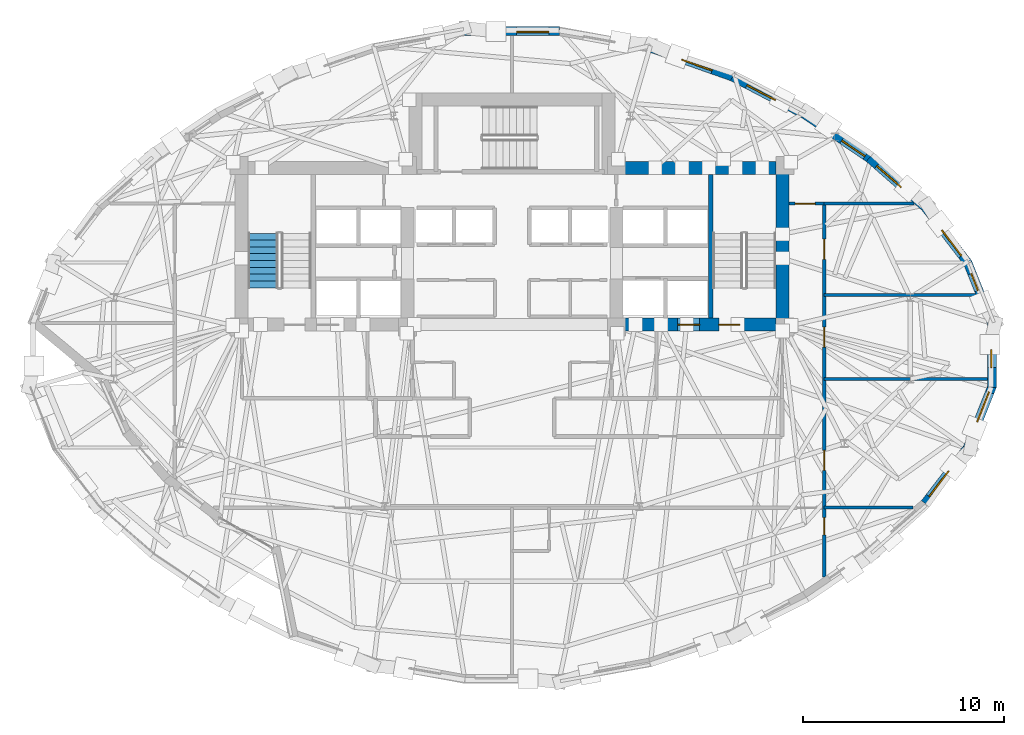
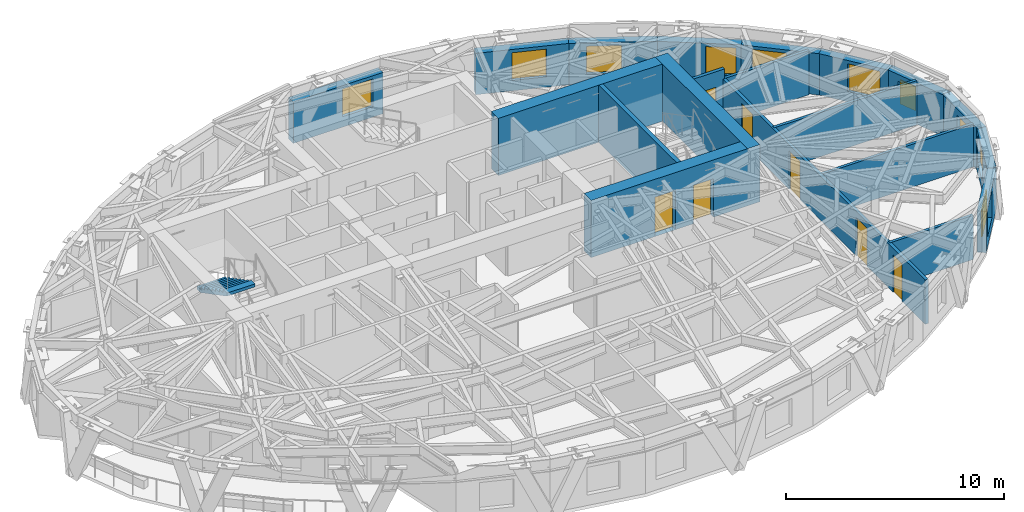
# One storey, part 10 of 15: 20 walls, 10 windows, 7 doors, 1 stair flight, 17 openings, 1 element without a shape of its own.
"""IFC4 building model written with IfcOpenShell, lengths in metres."""

from ifc_helpers import new_model, si_unit, direction, frame, frame_2d, origin, place, context, subcontext, project, spatial, polyline, rectangle, outline, extrude, material, layer, layer_set, type_object, element, fill, aggregate, save


model = new_model("IFC4")

# Units and contexts
model_context = context("Model", 3, precision=1e-05, world=origin(), true_north=direction((0.0, 1.0)))
body_context = subcontext(model_context, "Body", "Model", "MODEL_VIEW")
ifc_project = project(units=[si_unit("LENGTHUNIT", "METRE"), si_unit("AREAUNIT", "SQUARE_METRE"), si_unit("VOLUMEUNIT", "CUBIC_METRE"), si_unit("PLANEANGLEUNIT", "RADIAN"), si_unit("MASSUNIT", "GRAM", prefix="KILO")], contexts=[model_context])

# Site, building, storey
site_placement = place(None, origin())
site = spatial("IfcSite", under=ifc_project, at=site_placement, CompositionType="ELEMENT")
building_placement = place(site_placement, origin())
building = spatial("IfcBuilding", under=site, at=building_placement, Name="Keldmark Tower", CompositionType="ELEMENT")
storey_placement = place(building_placement, frame((0.0, 0.0, 195.0)))
storey = spatial("IfcBuildingStorey", under=building, at=storey_placement, Name="L54", CompositionType="ELEMENT", Elevation=195.0)

# Wall, openings, doors
ifc_material_1 = material(Name="Type X Fire-Rated Gypsum Partition Assembly", Category="gypsum")
ifc_layer_1 = layer(ifc_material_1, 0.1650390625)
ifc_layer_set_1 = layer_set([ifc_layer_1], Name="Type X Fire-Rated Gypsum Partition Assembly")
wall_type_1 = type_object("IfcWallType", Name="Rated Partition 165 mm", PredefinedType="PARTITIONING", material=ifc_layer_set_1)
wall_1_placement = place(storey_placement, frame((15.550048828125, -11.05419921875, 0.0), z_axis=(0.0, 0.0, 1.0), x_axis=(0.0, 1.0, 0.0)))
wall_1 = element("IfcWall", 1, at=wall_1_placement, inside=storey, type_object=wall_type_1, Name="L54 Rated Partition 165 mm HCOR-E", PredefinedType="PARTITIONING", context=body_context, shape_type="SweptSolid", body=[
    extrude(rectangle(XDim=18.604248046875, YDim=0.1650390625, at=frame_2d((9.30224609375, 0.0))), origin(), (0.0, 0.0, 1.0), 2.472900390625),
])
opening_1_placement = place(wall_1_placement, frame((2.1044921875, 0.0, 0.0)))
opening_1 = element("IfcOpeningElement", 2, at=opening_1_placement, cuts=wall_1, Name="Opening D-IN085", PredefinedType="OPENING", context=body_context, shape_type="SweptSolid", body=[
    extrude(rectangle(XDim=0.85009765625, YDim=2.10009765625, at=frame_2d((0.425048828125, 1.050048828125))), frame((0.0, 0.092529296875, 0.0), z_axis=(0.0, -1.0, 0.0), x_axis=(1.0, 0.0, 0.0)), (0.0, 0.0, 1.0), 0.18505859375),
])
opening_2_placement = place(wall_1_placement, frame((5.314453125, 0.0, 0.0)))
opening_2 = element("IfcOpeningElement", 3, at=opening_2_placement, cuts=wall_1, Name="Opening D-FD100", PredefinedType="OPENING", context=body_context, shape_type="SweptSolid", body=[
    extrude(rectangle(XDim=1.0, YDim=2.14990234375, at=frame_2d((0.5, 1.074951171875))), frame((0.0, 0.092529296875, 0.0), z_axis=(0.0, -1.0, 0.0), x_axis=(1.0, 0.0, 0.0)), (0.0, 0.0, 1.0), 0.18505859375),
])
opening_3_placement = place(wall_1_placement, frame((11.45458984375, 0.0, 0.0)))
opening_3 = element("IfcOpeningElement", 4, at=opening_3_placement, cuts=wall_1, Name="Opening D-FD100", PredefinedType="OPENING", context=body_context, shape_type="SweptSolid", body=[
    extrude(rectangle(XDim=1.0, YDim=2.14990234375, at=frame_2d((0.5, 1.074951171875))), frame((0.0, 0.092529296875, 0.0), z_axis=(0.0, -1.0, 0.0), x_axis=(1.0, 0.0, 0.0)), (0.0, 0.0, 1.0), 0.18505859375),
])
opening_4_placement = place(wall_1_placement, frame((15.82958984375, 0.0, 0.0)))
opening_4 = element("IfcOpeningElement", 5, at=opening_4_placement, cuts=wall_1, Name="Opening D-FD100", PredefinedType="OPENING", context=body_context, shape_type="SweptSolid", body=[
    extrude(rectangle(XDim=1.0, YDim=2.14990234375, at=frame_2d((0.5, 1.074951171875))), frame((0.0, 0.092529296875, 0.0), z_axis=(0.0, -1.0, 0.0), x_axis=(1.0, 0.0, 0.0)), (0.0, 0.0, 1.0), 0.18505859375),
])
ifc_material_2 = material(Name="Hollow Metal Fire-Rated Corridor Door", Category="metal")
door_type_1 = type_object("IfcDoorType", Name="Fire Door 1000x2150", OperationType="NOTDEFINED", PredefinedType="DOOR", material=ifc_material_2)
door_1_placement = place(opening_2_placement, origin())
door_1 = element("IfcDoor", 6, at=door_1_placement, inside=storey, type_object=door_type_1, Name="L54 Fire Door 1000x2150 D-HESP-1-L54", OperationType="SINGLE_SWING_LEFT", OverallHeight=2.14990234375, OverallWidth=1.0, PredefinedType="DOOR", context=body_context, shape_type="SweptSolid", body=[
    extrude(rectangle(XDim=1.0, YDim=2.14990234375, at=frame_2d((0.5, 1.074951171875))), frame((0.0, 0.02490234375, 0.0), z_axis=(0.0, -1.0, 0.0), x_axis=(1.0, 0.0, 0.0)), (0.0, 0.0, 1.0), 0.050048828125),
])
fill(opening_2, door_1)
door_2_placement = place(opening_3_placement, origin())
door_2 = element("IfcDoor", 7, at=door_2_placement, inside=storey, type_object=door_type_1, Name="L54 Fire Door 1000x2150 D-HESP-2-L54", OperationType="SINGLE_SWING_LEFT", OverallHeight=2.14990234375, OverallWidth=1.0, PredefinedType="DOOR", context=body_context, shape_type="SweptSolid", body=[
    extrude(rectangle(XDim=1.0, YDim=2.14990234375, at=frame_2d((0.5, 1.074951171875))), frame((0.0, 0.02490234375, 0.0), z_axis=(0.0, -1.0, 0.0), x_axis=(1.0, 0.0, 0.0)), (0.0, 0.0, 1.0), 0.050048828125),
])
fill(opening_3, door_2)
door_3_placement = place(opening_4_placement, origin())
door_3 = element("IfcDoor", 8, at=door_3_placement, inside=storey, type_object=door_type_1, Name="L54 Fire Door 1000x2150 D-HESP-3-L54", OperationType="SINGLE_SWING_RIGHT", OverallHeight=2.14990234375, OverallWidth=1.0, PredefinedType="DOOR", context=body_context, shape_type="SweptSolid", body=[
    extrude(rectangle(XDim=1.0, YDim=2.14990234375, at=frame_2d((0.5, 1.074951171875))), frame((0.0, 0.02490234375, 0.0), z_axis=(0.0, -1.0, 0.0), x_axis=(1.0, 0.0, 0.0)), (0.0, 0.0, 1.0), 0.050048828125),
])
fill(opening_4, door_3)
ifc_material_3 = material(Name="Painted Architectural Wood", Category="wood")
door_type_2 = type_object("IfcDoorType", Name="Interior Door 850x2100", OperationType="NOTDEFINED", PredefinedType="DOOR", material=ifc_material_3)
door_4_placement = place(opening_1_placement, origin())
door_4 = element("IfcDoor", 9, at=door_4_placement, inside=storey, type_object=door_type_2, Name="L54 Interior Door 850x2100 D-HKSE-L54", OperationType="SINGLE_SWING_RIGHT", OverallHeight=2.10009765625, OverallWidth=0.85009765625, PredefinedType="DOOR", context=body_context, shape_type="SweptSolid", body=[
    extrude(rectangle(XDim=0.85009765625, YDim=2.10009765625, at=frame_2d((0.425048828125, 1.050048828125))), frame((0.0, 0.02490234375, 0.0), z_axis=(0.0, -1.0, 0.0), x_axis=(1.0, 0.0, 0.0)), (0.0, 0.0, 1.0), 0.050048828125),
])
fill(opening_1, door_4)

# Wall, opening, door
wall_2_placement = place(storey_placement, frame((13.800048828125, 7.550048828125, 0.0), z_axis=(0.0, 0.0, 1.0), x_axis=(1.0, 0.0, 0.0)))
wall_2 = element("IfcWall", 10, at=wall_2_placement, inside=storey, type_object=wall_type_1, Name="L54 Rated Partition 165 mm HCOR-EN", PredefinedType="PARTITIONING", context=body_context, shape_type="SweptSolid", body=[
    extrude(rectangle(XDim=1.75, YDim=0.1650390625, at=frame_2d((0.875, 0.0))), origin(), (0.0, 0.0, 1.0), 3.02001953125),
])
opening_5_placement = place(wall_2_placement, frame((0.300048828125, 0.0, 0.0)))
opening_5 = element("IfcOpeningElement", 11, at=opening_5_placement, cuts=wall_2, Name="Opening D-FD100", PredefinedType="OPENING", context=body_context, shape_type="SweptSolid", body=[
    extrude(rectangle(XDim=1.0, YDim=2.14990234375, at=frame_2d((0.5, 1.074951171875))), frame((0.0, 0.092529296875, 0.0), z_axis=(0.0, -1.0, 0.0), x_axis=(1.0, 0.0, 0.0)), (0.0, 0.0, 1.0), 0.18505859375),
])
door_5_placement = place(opening_5_placement, origin())
door_5 = element("IfcDoor", 12, at=door_5_placement, inside=storey, type_object=door_type_1, Name="L54 Fire Door 1000x2150 D-HNNE-L54", OperationType="SINGLE_SWING_RIGHT", OverallHeight=2.14990234375, OverallWidth=1.0, PredefinedType="DOOR", context=body_context, shape_type="SweptSolid", body=[
    extrude(rectangle(XDim=1.0, YDim=2.14990234375, at=frame_2d((0.5, 1.074951171875))), frame((0.0, 0.02490234375, 0.0), z_axis=(0.0, -1.0, 0.0), x_axis=(1.0, 0.0, 0.0)), (0.0, 0.0, 1.0), 0.050048828125),
])
fill(opening_5, door_5)

# Wall
ifc_material_4 = material(Name="Concrete C50/60", Category="concrete")
ifc_layer_2 = layer(ifc_material_4, 0.219970703125)
ifc_layer_set_2 = layer_set([ifc_layer_2], Name="Concrete C50/60")
wall_type_2 = type_object("IfcWallType", Name="Stair Core Shear Wall 220 mm", PredefinedType="SHEAR", material=ifc_layer_set_2)
wall_3_placement = place(storey_placement, frame((9.889892578125, 1.85009765625, 0.0), z_axis=(0.0, 0.0, 1.0), x_axis=(0.0, 1.0, 0.0)))
element("IfcWall", 13, at=wall_3_placement, inside=storey, type_object=wall_type_2, Name="L54 East Stair Core Shear Wall", PredefinedType="SHEAR", context=body_context, shape_type="SweptSolid", body=[
    extrude(rectangle(XDim=7.14990234375, YDim=0.219970703125, at=frame_2d((3.574951171875, 0.0))), origin(), (0.0, 0.0, 1.0), 3.199951171875),
])

# Wall, opening, window
ifc_material_5 = material(Name="Ironspot Manganese Brick and Kasota Buff Limestone Spandrel Assembly", Category="masonry")
ifc_layer_3 = layer(ifc_material_5, 0.43994140625)
ifc_layer_set_3 = layer_set([ifc_layer_3], Name="Ironspot Manganese Brick and Kasota Buff Limestone Spandrel Assembly")
wall_type_3 = type_object("IfcWallType", Name="Tower Brick Pier and Spandrel Wall 440 mm", PredefinedType="STANDARD", material=ifc_layer_set_3)
wall_4_placement = place(storey_placement, frame((22.692138671875, 4.62744140625, 0.0), z_axis=(0.0, 0.0, 1.0), x_axis=(0.369672887509, -0.929161964483, 0.0)))
wall_4 = element("IfcWall", 14, at=wall_4_placement, inside=storey, type_object=wall_type_3, Name="L54 Exterior Brick and Spandrel Wall 01", PredefinedType="STANDARD", context=body_context, shape_type="SweptSolid", body=[
    extrude(rectangle(XDim=3.333740234375, YDim=0.43994140625, at=frame_2d((1.6669921875, 0.0))), origin(), (0.0, 0.0, 1.0), 2.31494140625),
])
opening_6_placement = place(wall_4_placement, frame((0.5966796875, 0.0, 0.580078125)))
opening_6 = element("IfcOpeningElement", 15, at=opening_6_placement, cuts=wall_4, Name="Opening W-09", PredefinedType="OPENING", context=body_context, shape_type="SweptSolid", body=[
    extrude(rectangle(XDim=0.89990234375, YDim=1.35009765625, at=frame_2d((0.449951171875, 0.675048828125))), frame((0.0, 0.22998046875, 0.0), z_axis=(0.0, -1.0, 0.0), x_axis=(1.0, 0.0, 0.0)), (0.0, 0.0, 1.0), 0.4599609375),
])
ifc_material_6 = material(Name="Thermally Broken Anodized Aluminum and Triple Low-E Argon Glazing", Category="aluminium")
window_type_1 = type_object("IfcWindowType", Name="Corner Pier Deep-Set Window 900x1350", PartitioningType="SINGLE_PANEL", PredefinedType="WINDOW", material=ifc_material_6)
window_1_placement = place(opening_6_placement, origin())
window_1 = element("IfcWindow", 16, at=window_1_placement, inside=storey, type_object=window_type_1, Name="L54 Deep-Set Window 01", OverallHeight=1.35009765625, OverallWidth=0.89990234375, PartitioningType="SINGLE_PANEL", PredefinedType="WINDOW", context=body_context, shape_type="SweptSolid", body=[
    extrude(rectangle(XDim=0.89990234375, YDim=1.35009765625, at=frame_2d((0.449951171875, 0.675048828125))), frame((0.0, -0.010009765625, 0.0), z_axis=(0.0, -1.0, 0.0), x_axis=(1.0, 0.0, 0.0)), (0.0, 0.0, 1.0), 0.06005859375),
])
fill(opening_6, window_1)

wall_5_placement = place(storey_placement, frame((20.568359375, 7.3828125, 0.0), z_axis=(0.0, 0.0, 1.0), x_axis=(0.608586512644, -0.793487527708, 0.0)))
wall_5 = element("IfcWall", 17, at=wall_5_placement, inside=storey, type_object=wall_type_3, Name="L54 Exterior Brick and Spandrel Wall 02", PredefinedType="STANDARD", context=body_context, shape_type="SweptSolid", body=[
    extrude(rectangle(XDim=3.53857421875, YDim=0.43994140625, at=frame_2d((1.769287109375, 0.0))), origin(), (0.0, 0.0, 1.0), 2.31494140625),
])
opening_7_placement = place(wall_5_placement, frame((1.44091796875, 0.0, 0.580078125)))
opening_7 = element("IfcOpeningElement", 18, at=opening_7_placement, cuts=wall_5, Name="Opening W-04", PredefinedType="OPENING", context=body_context, shape_type="SweptSolid", body=[
    extrude(rectangle(XDim=1.60009765625, YDim=1.550048828125, at=frame_2d((0.800048828125, 0.77490234375))), frame((0.0, 0.22998046875, 0.0), z_axis=(0.0, -1.0, 0.0), x_axis=(1.0, 0.0, 0.0)), (0.0, 0.0, 1.0), 0.4599609375),
])
ifc_material_7 = material(Name="Thermally Broken Anodized Aluminum and Triple Low-E Argon Glazing", Category="aluminium")
window_type_2 = type_object("IfcWindowType", Name="Hotel Deep-Set Operable Window 1600x1550", PartitioningType="DOUBLE_PANEL_HORIZONTAL", PredefinedType="WINDOW", material=ifc_material_7)
window_2_placement = place(opening_7_placement, origin())
window_2 = element("IfcWindow", 19, at=window_2_placement, inside=storey, type_object=window_type_2, Name="L54 Deep-Set Window 02", OverallHeight=1.550048828125, OverallWidth=1.60009765625, PartitioningType="SINGLE_PANEL", PredefinedType="WINDOW", context=body_context, shape_type="SweptSolid", body=[
    extrude(rectangle(XDim=1.60009765625, YDim=1.550048828125, at=frame_2d((0.800048828125, 0.77490234375))), frame((0.0, -0.010009765625, 0.0), z_axis=(0.0, -1.0, 0.0), x_axis=(1.0, 0.0, 0.0)), (0.0, 0.0, 1.0), 0.06005859375),
])
fill(opening_7, window_2)

wall_6_placement = place(storey_placement, frame((17.789794921875, 9.813232421875, 0.0), z_axis=(0.0, 0.0, 1.0), x_axis=(0.751936480142, -0.65923556475, 0.0)))
wall_6 = element("IfcWall", 20, at=wall_6_placement, inside=storey, type_object=wall_type_3, Name="L54 Exterior Brick and Spandrel Wall 03", PredefinedType="STANDARD", context=body_context, shape_type="SweptSolid", body=[
    extrude(rectangle(XDim=3.734619140625, YDim=0.43994140625, at=frame_2d((1.8671875, 0.0))), origin(), (0.0, 0.0, 1.0), 2.31494140625),
])
opening_8_placement = place(wall_6_placement, frame((0.546875, 0.0, 0.580078125)))
opening_8 = element("IfcOpeningElement", 21, at=opening_8_placement, cuts=wall_6, Name="Opening W-04", PredefinedType="OPENING", context=body_context, shape_type="SweptSolid", body=[
    extrude(rectangle(XDim=1.60009765625, YDim=1.550048828125, at=frame_2d((0.800048828125, 0.77490234375))), frame((0.0, 0.22998046875, 0.0), z_axis=(0.0, -1.0, 0.0), x_axis=(1.0, 0.0, 0.0)), (0.0, 0.0, 1.0), 0.4599609375),
])
window_3_placement = place(opening_8_placement, origin())
window_3 = element("IfcWindow", 22, at=window_3_placement, inside=storey, type_object=window_type_2, Name="L54 Deep-Set Window 03", OverallHeight=1.550048828125, OverallWidth=1.60009765625, PartitioningType="SINGLE_PANEL", PredefinedType="WINDOW", context=body_context, shape_type="SweptSolid", body=[
    extrude(rectangle(XDim=1.60009765625, YDim=1.550048828125, at=frame_2d((0.800048828125, 0.77490234375))), frame((0.0, -0.010009765625, 0.0), z_axis=(0.0, -1.0, 0.0), x_axis=(1.0, 0.0, 0.0)), (0.0, 0.0, 1.0), 0.06005859375),
])
fill(opening_8, window_3)

wall_7_placement = place(storey_placement, frame((14.59521484375, 11.97705078125, 0.0), z_axis=(0.0, 0.0, 1.0), x_axis=(0.827704046296, -0.561164870377, 0.0)))
wall_7 = element("IfcWall", 23, at=wall_7_placement, inside=storey, type_object=wall_type_3, Name="L54 Exterior Brick and Spandrel Wall 04", PredefinedType="STANDARD", context=body_context, shape_type="SweptSolid", body=[
    extrude(rectangle(XDim=3.885498046875, YDim=0.43994140625, at=frame_2d((1.94287109375, 0.0))), origin(), (0.0, 0.0, 1.0), 2.31494140625),
])
opening_9_placement = place(wall_7_placement, frame((2.23583984375, 0.0, 0.580078125)))
opening_9 = element("IfcOpeningElement", 24, at=opening_9_placement, cuts=wall_7, Name="Opening W-08", PredefinedType="OPENING", context=body_context, shape_type="SweptSolid", body=[
    extrude(rectangle(XDim=1.39990234375, YDim=1.550048828125, at=frame_2d((0.699951171875, 0.77490234375))), frame((0.0, 0.22998046875, 0.0), z_axis=(0.0, -1.0, 0.0), x_axis=(1.0, 0.0, 0.0)), (0.0, 0.0, 1.0), 0.4599609375),
])
ifc_material_8 = material(Name="Thermally Broken Anodized Aluminum and Triple Low-E Argon Glazing", Category="aluminium")
window_type_3 = type_object("IfcWindowType", Name="Residential Corner Punched Window 1400x1550", PartitioningType="SINGLE_PANEL", PredefinedType="WINDOW", material=ifc_material_8)
window_4_placement = place(opening_9_placement, origin())
window_4 = element("IfcWindow", 25, at=window_4_placement, inside=storey, type_object=window_type_3, Name="L54 Deep-Set Window 04", OverallHeight=1.550048828125, OverallWidth=1.39990234375, PartitioningType="SINGLE_PANEL", PredefinedType="WINDOW", context=body_context, shape_type="SweptSolid", body=[
    extrude(rectangle(XDim=1.39990234375, YDim=1.550048828125, at=frame_2d((0.699951171875, 0.77490234375))), frame((0.0, -0.010009765625, 0.0), z_axis=(0.0, -1.0, 0.0), x_axis=(1.0, 0.0, 0.0)), (0.0, 0.0, 1.0), 0.06005859375),
])
fill(opening_9, window_4)

wall_8_placement = place(storey_placement, frame((10.985107421875, 13.867919921875, 0.0), z_axis=(0.0, 0.0, 1.0), x_axis=(0.885676487837, -0.464302874094, 0.0)))
wall_8 = element("IfcWall", 26, at=wall_8_placement, inside=storey, type_object=wall_type_3, Name="L54 Exterior Brick and Spandrel Wall 05", PredefinedType="STANDARD", context=body_context, shape_type="SweptSolid", body=[
    extrude(rectangle(XDim=4.100341796875, YDim=0.43994140625, at=frame_2d((2.05029296875, 0.0))), origin(), (0.0, 0.0, 1.0), 2.31494140625),
])
opening_10_placement = place(wall_8_placement, frame((0.8349609375, 0.0, 0.580078125)))
opening_10 = element("IfcOpeningElement", 27, at=opening_10_placement, cuts=wall_8, Name="Opening W-04", PredefinedType="OPENING", context=body_context, shape_type="SweptSolid", body=[
    extrude(rectangle(XDim=1.60009765625, YDim=1.550048828125, at=frame_2d((0.800048828125, 0.77490234375))), frame((0.0, 0.22998046875, 0.0), z_axis=(0.0, -1.0, 0.0), x_axis=(1.0, 0.0, 0.0)), (0.0, 0.0, 1.0), 0.4599609375),
])
window_5_placement = place(opening_10_placement, origin())
window_5 = element("IfcWindow", 28, at=window_5_placement, inside=storey, type_object=window_type_2, Name="L54 Deep-Set Window 05", OverallHeight=1.550048828125, OverallWidth=1.60009765625, PartitioningType="SINGLE_PANEL", PredefinedType="WINDOW", context=body_context, shape_type="SweptSolid", body=[
    extrude(rectangle(XDim=1.60009765625, YDim=1.550048828125, at=frame_2d((0.800048828125, 0.77490234375))), frame((0.0, -0.010009765625, 0.0), z_axis=(0.0, -1.0, 0.0), x_axis=(1.0, 0.0, 0.0)), (0.0, 0.0, 1.0), 0.06005859375),
])
fill(opening_10, window_5)

wall_9_placement = place(storey_placement, frame((6.87255859375, 15.3154296875, 0.0), z_axis=(0.0, 0.0, 1.0), x_axis=(0.943100102185, -0.332508943125, 0.0)))
wall_9 = element("IfcWall", 29, at=wall_9_placement, inside=storey, type_object=wall_type_3, Name="L54 Exterior Brick and Spandrel Wall 06", PredefinedType="STANDARD", context=body_context, shape_type="SweptSolid", body=[
    extrude(rectangle(XDim=4.391357421875, YDim=0.43994140625, at=frame_2d((2.19580078125, 0.0))), origin(), (0.0, 0.0, 1.0), 2.31494140625),
])
opening_11_placement = place(wall_9_placement, frame((1.694580078125, 0.0, 0.580078125)))
opening_11 = element("IfcOpeningElement", 30, at=opening_11_placement, cuts=wall_9, Name="Opening W-04", PredefinedType="OPENING", context=body_context, shape_type="SweptSolid", body=[
    extrude(rectangle(XDim=1.60009765625, YDim=1.550048828125, at=frame_2d((0.800048828125, 0.77490234375))), frame((0.0, 0.22998046875, 0.0), z_axis=(0.0, -1.0, 0.0), x_axis=(1.0, 0.0, 0.0)), (0.0, 0.0, 1.0), 0.4599609375),
])
window_6_placement = place(opening_11_placement, origin())
window_6 = element("IfcWindow", 31, at=window_6_placement, inside=storey, type_object=window_type_2, Name="L54 Deep-Set Window 06", OverallHeight=1.550048828125, OverallWidth=1.60009765625, PartitioningType="SINGLE_PANEL", PredefinedType="WINDOW", context=body_context, shape_type="SweptSolid", body=[
    extrude(rectangle(XDim=1.60009765625, YDim=1.550048828125, at=frame_2d((0.800048828125, 0.77490234375))), frame((0.0, -0.010009765625, 0.0), z_axis=(0.0, -1.0, 0.0), x_axis=(1.0, 0.0, 0.0)), (0.0, 0.0, 1.0), 0.06005859375),
])
fill(opening_11, window_6)

wall_10_placement = place(storey_placement, frame((-2.37646484375, 16.13818359375, 0.0), z_axis=(0.0, 0.0, 1.0), x_axis=(1.0, 0.0, 0.0)))
wall_10 = element("IfcWall", 32, at=wall_10_placement, inside=storey, type_object=wall_type_3, Name="L54 Exterior Brick and Spandrel Wall 08", PredefinedType="STANDARD", context=body_context, shape_type="SweptSolid", body=[
    extrude(rectangle(XDim=4.7529296875, YDim=0.43994140625, at=frame_2d((2.37646484375, 0.0))), origin(), (0.0, 0.0, 1.0), 2.31494140625),
])
opening_12_placement = place(wall_10_placement, frame((2.60888671875, 0.0, 0.580078125)))
opening_12 = element("IfcOpeningElement", 33, at=opening_12_placement, cuts=wall_10, Name="Opening W-04", PredefinedType="OPENING", context=body_context, shape_type="SweptSolid", body=[
    extrude(rectangle(XDim=1.60009765625, YDim=1.550048828125, at=frame_2d((0.800048828125, 0.77490234375))), frame((0.0, 0.22998046875, 0.0), z_axis=(0.0, -1.0, 0.0), x_axis=(1.0, 0.0, 0.0)), (0.0, 0.0, 1.0), 0.4599609375),
])
window_7_placement = place(opening_12_placement, origin())
window_7 = element("IfcWindow", 34, at=window_7_placement, inside=storey, type_object=window_type_2, Name="L54 Deep-Set Window 08", OverallHeight=1.550048828125, OverallWidth=1.60009765625, PartitioningType="SINGLE_PANEL", PredefinedType="WINDOW", context=body_context, shape_type="SweptSolid", body=[
    extrude(rectangle(XDim=1.60009765625, YDim=1.550048828125, at=frame_2d((0.800048828125, 0.77490234375))), frame((0.0, -0.010009765625, 0.0), z_axis=(0.0, -1.0, 0.0), x_axis=(1.0, 0.0, 0.0)), (0.0, 0.0, 1.0), 0.06005859375),
])
fill(opening_12, window_7)

wall_11_placement = place(storey_placement, frame((22.721923828125, -4.574951171875, 0.0), z_axis=(0.0, 0.0, 1.0), x_axis=(-0.608586512644, -0.793487527708, 0.0)))
wall_11 = element("IfcWall", 35, at=wall_11_placement, inside=storey, type_object=wall_type_3, Name="L54 Exterior Brick and Spandrel Wall 30", PredefinedType="STANDARD", context=body_context, shape_type="SweptSolid", body=[
    extrude(rectangle(XDim=3.53857421875, YDim=0.43994140625, at=frame_2d((1.769287109375, 0.0))), origin(), (0.0, 0.0, 1.0), 2.31494140625),
])
opening_13_placement = place(wall_11_placement, frame((1.540283203125, 0.0, 0.580078125)))
opening_13 = element("IfcOpeningElement", 36, at=opening_13_placement, cuts=wall_11, Name="Opening W-04", PredefinedType="OPENING", context=body_context, shape_type="SweptSolid", body=[
    extrude(rectangle(XDim=1.60009765625, YDim=1.550048828125, at=frame_2d((0.800048828125, 0.77490234375))), frame((0.0, 0.22998046875, 0.0), z_axis=(0.0, -1.0, 0.0), x_axis=(1.0, 0.0, 0.0)), (0.0, 0.0, 1.0), 0.4599609375),
])
window_8_placement = place(opening_13_placement, origin())
window_8 = element("IfcWindow", 37, at=window_8_placement, inside=storey, type_object=window_type_2, Name="L54 Deep-Set Window 30", OverallHeight=1.550048828125, OverallWidth=1.60009765625, PartitioningType="SINGLE_PANEL", PredefinedType="WINDOW", context=body_context, shape_type="SweptSolid", body=[
    extrude(rectangle(XDim=1.60009765625, YDim=1.550048828125, at=frame_2d((0.800048828125, 0.77490234375))), frame((0.0, -0.010009765625, 0.0), z_axis=(0.0, -1.0, 0.0), x_axis=(1.0, 0.0, 0.0)), (0.0, 0.0, 1.0), 0.06005859375),
])
fill(opening_13, window_8)

wall_12_placement = place(storey_placement, frame((23.924560546875, -1.52978515625, 0.0), z_axis=(0.0, 0.0, 1.0), x_axis=(-0.369672887509, -0.929161964483, 0.0)))
wall_12 = element("IfcWall", 38, at=wall_12_placement, inside=storey, type_object=wall_type_3, Name="L54 Exterior Brick and Spandrel Wall 31", PredefinedType="STANDARD", context=body_context, shape_type="SweptSolid", body=[
    extrude(rectangle(XDim=3.333740234375, YDim=0.43994140625, at=frame_2d((1.6669921875, 0.0))), origin(), (0.0, 0.0, 1.0), 2.31494140625),
])
opening_14_placement = place(wall_12_placement, frame((0.34814453125, 0.0, 0.580078125)))
opening_14 = element("IfcOpeningElement", 39, at=opening_14_placement, cuts=wall_12, Name="Opening W-04", PredefinedType="OPENING", context=body_context, shape_type="SweptSolid", body=[
    extrude(rectangle(XDim=1.60009765625, YDim=1.550048828125, at=frame_2d((0.800048828125, 0.77490234375))), frame((0.0, 0.22998046875, 0.0), z_axis=(0.0, -1.0, 0.0), x_axis=(1.0, 0.0, 0.0)), (0.0, 0.0, 1.0), 0.4599609375),
])
window_9_placement = place(opening_14_placement, origin())
window_9 = element("IfcWindow", 40, at=window_9_placement, inside=storey, type_object=window_type_2, Name="L54 Deep-Set Window 31", OverallHeight=1.550048828125, OverallWidth=1.60009765625, PartitioningType="SINGLE_PANEL", PredefinedType="WINDOW", context=body_context, shape_type="SweptSolid", body=[
    extrude(rectangle(XDim=1.60009765625, YDim=1.550048828125, at=frame_2d((0.800048828125, 0.77490234375))), frame((0.0, -0.010009765625, 0.0), z_axis=(0.0, -1.0, 0.0), x_axis=(1.0, 0.0, 0.0)), (0.0, 0.0, 1.0), 0.06005859375),
])
fill(opening_14, window_9)

wall_13_placement = place(storey_placement, frame((23.908935546875, 1.611083984375, 0.0), z_axis=(0.0, 0.0, 1.0), x_axis=(0.0, -1.0, 0.0)))
wall_13 = element("IfcWall", 41, at=wall_13_placement, inside=storey, type_object=wall_type_3, Name="L54 Exterior Brick and Spandrel Wall 32", PredefinedType="STANDARD", context=body_context, shape_type="SweptSolid", body=[
    extrude(rectangle(XDim=3.22216796875, YDim=0.43994140625, at=frame_2d((1.611083984375, 0.0))), origin(), (0.0, 0.0, 1.0), 2.31494140625),
])
opening_15_placement = place(wall_13_placement, frame((1.333740234375, 0.0, 0.580078125)))
opening_15 = element("IfcOpeningElement", 42, at=opening_15_placement, cuts=wall_13, Name="Opening W-09", PredefinedType="OPENING", context=body_context, shape_type="SweptSolid", body=[
    extrude(rectangle(XDim=0.89990234375, YDim=1.35009765625, at=frame_2d((0.449951171875, 0.675048828125))), frame((0.0, 0.22998046875, 0.0), z_axis=(0.0, -1.0, 0.0), x_axis=(1.0, 0.0, 0.0)), (0.0, 0.0, 1.0), 0.4599609375),
])
window_10_placement = place(opening_15_placement, origin())
window_10 = element("IfcWindow", 43, at=window_10_placement, inside=storey, type_object=window_type_1, Name="L54 Deep-Set Window 32", OverallHeight=1.35009765625, OverallWidth=0.89990234375, PartitioningType="SINGLE_PANEL", PredefinedType="WINDOW", context=body_context, shape_type="SweptSolid", body=[
    extrude(rectangle(XDim=0.89990234375, YDim=1.35009765625, at=frame_2d((0.449951171875, 0.675048828125))), frame((0.0, -0.010009765625, 0.0), z_axis=(0.0, -1.0, 0.0), x_axis=(1.0, 0.0, 0.0)), (0.0, 0.0, 1.0), 0.06005859375),
])
fill(opening_15, window_10)

# Walls
ifc_material_9 = material(Name="Concrete C50/60", Category="concrete")
ifc_layer_4 = layer(ifc_material_9, 0.64990234375)
ifc_layer_set_4 = layer_set([ifc_layer_4], Name="Concrete C50/60")
wall_type_4 = type_object("IfcWallType", Name="Upper-Mid Core Shear Wall 650 mm", PredefinedType="SHEAR", material=ifc_layer_set_4)
wall_14_placement = place(storey_placement, frame((13.47509765625, 1.199951171875, 0.0), z_axis=(0.0, 0.0, 1.0), x_axis=(0.0, 1.0, 0.0)))
element("IfcWall", 44, at=wall_14_placement, inside=storey, type_object=wall_type_4, Name="L54 East Core Outer Shear Wall", PredefinedType="SHEAR", context=body_context, shape_type="SweptSolid", body=[
    extrude(rectangle(XDim=8.449951171875, YDim=0.64990234375, at=frame_2d((4.22509765625, 0.0))), origin(), (0.0, 0.0, 1.0), 3.199951171875),
])
wall_15_placement = place(storey_placement, frame((4.47509765625, 9.324951171875, 0.0), z_axis=(0.0, 0.0, 1.0), x_axis=(1.0, 0.0, 0.0)))
element("IfcWall", 45, at=wall_15_placement, inside=storey, type_object=wall_type_4, Name="L54 East Core North Shear Wall", PredefinedType="SHEAR", context=body_context, shape_type="SweptSolid", body=[
    extrude(rectangle(XDim=9.324951171875, YDim=0.64990234375, at=frame_2d((4.66259765625, 0.0))), origin(), (0.0, 0.0, 1.0), 3.199951171875),
])

# Wall, openings, doors
wall_16_placement = place(storey_placement, frame((13.800048828125, 1.52490234375, 0.0), z_axis=(0.0, 0.0, 1.0), x_axis=(-1.0, 0.0, 0.0)))
wall_16 = element("IfcWall", 46, at=wall_16_placement, inside=storey, type_object=wall_type_4, Name="L54 East Core South Shear Wall", PredefinedType="SHEAR", context=body_context, shape_type="SweptSolid", body=[
    extrude(rectangle(XDim=8.925048828125, YDim=0.64990234375, at=frame_2d((4.46240234375, 0.0))), origin(), (0.0, 0.0, 1.0), 3.199951171875),
])
opening_16_placement = place(wall_16_placement, frame((2.449951171875, 0.0, 0.0)))
opening_16 = element("IfcOpeningElement", 47, at=opening_16_placement, cuts=wall_16, Name="Opening D-ST105", PredefinedType="OPENING", context=body_context, shape_type="SweptSolid", body=[
    extrude(rectangle(XDim=1.050048828125, YDim=2.14990234375, at=frame_2d((0.52490234375, 1.074951171875))), frame((0.0, 0.3349609375, 0.0), z_axis=(0.0, -1.0, 0.0), x_axis=(1.0, 0.0, 0.0)), (0.0, 0.0, 1.0), 0.669921875),
])
opening_17_placement = place(wall_16_placement, frame((4.449951171875, 0.0, 0.0)))
opening_17 = element("IfcOpeningElement", 48, at=opening_17_placement, cuts=wall_16, Name="Opening LD-110", PredefinedType="OPENING", context=body_context, shape_type="SweptSolid", body=[
    extrude(rectangle(XDim=1.10009765625, YDim=2.199951171875, at=frame_2d((0.550048828125, 1.10009765625))), frame((0.0, 0.3349609375, 0.0), z_axis=(0.0, -1.0, 0.0), x_axis=(1.0, 0.0, 0.0)), (0.0, 0.0, 1.0), 0.669921875),
])
ifc_material_10 = material(Name="Brushed Bronze Hoistway Sliding Leaf", Category="metal")
door_type_3 = type_object("IfcDoorType", Name="Lift Landing Sliding Door 1100x2200", OperationType="SLIDING_TO_LEFT", PredefinedType="DOOR", material=ifc_material_10)
door_6_placement = place(opening_17_placement, origin())
door_6 = element("IfcDoor", 49, at=door_6_placement, inside=storey, type_object=door_type_3, Name="L54 Lift Landing Sliding Door 1100x2200 LD-EL-FS2-L54", OperationType="SLIDING_TO_LEFT", OverallHeight=2.199951171875, OverallWidth=1.10009765625, PredefinedType="DOOR", context=body_context, shape_type="SweptSolid", body=[
    extrude(rectangle(XDim=1.10009765625, YDim=2.199951171875, at=frame_2d((0.550048828125, 1.10009765625))), frame((0.0, 0.02490234375, 0.0), z_axis=(0.0, -1.0, 0.0), x_axis=(1.0, 0.0, 0.0)), (0.0, 0.0, 1.0), 0.050048828125),
])
fill(opening_17, door_6)
ifc_material_11 = material(Name="Hollow Metal Fire-Rated Door Assembly", Category="metal")
door_type_4 = type_object("IfcDoorType", Name="Stair Fire Door 1050x2150", OperationType="NOTDEFINED", PredefinedType="DOOR", material=ifc_material_11)
door_7_placement = place(opening_16_placement, origin())
door_7 = element("IfcDoor", 50, at=door_7_placement, inside=storey, type_object=door_type_4, Name="L54 Stair Fire Door 1050x2150 D-ST2-L54", OperationType="SINGLE_SWING_LEFT", OverallHeight=2.14990234375, OverallWidth=1.050048828125, PredefinedType="DOOR", context=body_context, shape_type="SweptSolid", body=[
    extrude(rectangle(XDim=1.050048828125, YDim=2.14990234375, at=frame_2d((0.52490234375, 1.074951171875))), frame((0.0, 0.02490234375, 0.0), z_axis=(0.0, -1.0, 0.0), x_axis=(1.0, 0.0, 0.0)), (0.0, 0.0, 1.0), 0.050048828125),
])
fill(opening_16, door_7)

# Walls
ifc_material_12 = material(Name="Moisture-Resistant Gypsum Plumbing Partition", Category="gypsum")
ifc_layer_5 = layer(ifc_material_12, 0.14990234375)
ifc_layer_set_5 = layer_set([ifc_layer_5], Name="Moisture-Resistant Gypsum Plumbing Partition")
wall_type_5 = type_object("IfcWallType", Name="Wet Wall 150 mm", PredefinedType="PLUMBINGWALL", material=ifc_layer_set_5)
wall_17_placement = place(storey_placement, frame((15.550048828125, 7.550048828125, 0.0), z_axis=(0.0, 0.0, 1.0), x_axis=(1.0, 0.0, 0.0)))
element("IfcWall", 51, at=wall_17_placement, inside=storey, type_object=wall_type_5, Name="L54 Wet Wall 150 mm HE-CAP-N", PredefinedType="PLUMBINGWALL", context=body_context, shape_type="SweptSolid", body=[
    extrude(rectangle(XDim=4.475341796875, YDim=0.14990234375, at=frame_2d((2.23779296875, 0.0))), origin(), (0.0, 0.0, 1.0), 2.472900390625),
])
wall_18_placement = place(storey_placement, frame((15.550048828125, -7.60009765625, 0.0), z_axis=(0.0, 0.0, 1.0), x_axis=(1.0, 0.0, 0.0)))
element("IfcWall", 52, at=wall_18_placement, inside=storey, type_object=wall_type_5, Name="L54 Wet Wall 150 mm HE-CAP-S", PredefinedType="PLUMBINGWALL", context=body_context, shape_type="SweptSolid", body=[
    extrude(rectangle(XDim=4.41845703125, YDim=0.14990234375, at=frame_2d((2.209228515625, 0.0))), origin(), (0.0, 0.0, 1.0), 2.472900390625),
])
wall_19_placement = place(storey_placement, frame((15.550048828125, -1.199951171875, 0.0), z_axis=(0.0, 0.0, 1.0), x_axis=(1.0, 0.0, 0.0)))
element("IfcWall", 53, at=wall_19_placement, inside=storey, type_object=wall_type_5, Name="L54 Wet Wall 150 mm HE-DIV-1", PredefinedType="PLUMBINGWALL", context=body_context, shape_type="SweptSolid", body=[
    extrude(rectangle(XDim=8.130859375, YDim=0.14990234375, at=frame_2d((4.0654296875, 0.0))), origin(), (0.0, 0.0, 1.0), 2.39794921875),
])
wall_20_placement = place(storey_placement, frame((15.550048828125, 3.0, 0.0), z_axis=(0.0, 0.0, 1.0), x_axis=(1.0, 0.0, 0.0)))
element("IfcWall", 54, at=wall_20_placement, inside=storey, type_object=wall_type_5, Name="L54 Wet Wall 150 mm HE-DIV-2", PredefinedType="PLUMBINGWALL", context=body_context, shape_type="SweptSolid", body=[
    extrude(rectangle(XDim=7.544189453125, YDim=0.14990234375, at=frame_2d((3.77197265625, 0.0))), origin(), (0.0, 0.0, 1.0), 2.472900390625),
])

# Stair, stair flight
ifc_material_13 = material(Name="Concrete C40/50", Category="concrete")
stair_type = type_object("IfcStairType", Name="Precast Concrete Core Exit Stair", PredefinedType="HALF_TURN_STAIR", material=ifc_material_13)
stair_placement = place(storey_placement, origin())
stair = element("IfcStair", 55, at=stair_placement, inside=storey, type_object=stair_type, Name="L54 Exit Stair ST1", PredefinedType="HALF_TURN_STAIR")
ifc_material_14 = material(Name="Concrete C40/50", Category="concrete")
stair_flight_type = type_object("IfcStairFlightType", Name="Precast Concrete Stair Flight 1500 mm", PredefinedType="STRAIGHT", material=ifc_material_14)
stair_flight_placement = place(storey_placement, frame((-12.39990234375, 6.070068359375, 1.60009765625), z_axis=(0.0, 0.0, 1.0), x_axis=(0.0, -1.0, 0.0)))
stair_flight = element("IfcStairFlight", 56, at=stair_flight_placement, type_object=stair_flight_type, Name="ST1 flight 2", NumberOfRisers=9, NumberOfTreads=8, PredefinedType="STRAIGHT", RiserHeight=0.177777778, TreadLength=0.34, context=body_context, shape_type="SweptSolid", body=[
    extrude(outline(polyline([(0.0, 0.0), (0.0, 0.177734375), (0.340087890625, 0.177734375), (0.340087890625, 0.35546875), (0.679931640625, 0.35546875), (0.679931640625, 0.533447265625), (1.02001953125, 0.533447265625), (1.02001953125, 0.711181640625), (1.360107421875, 0.711181640625), (1.360107421875, 0.888916015625), (1.699951171875, 0.888916015625), (1.699951171875, 1.066650390625), (2.0400390625, 1.066650390625), (2.0400390625, 1.244384765625), (2.3798828125, 1.244384765625), (2.3798828125, 1.422119140625), (2.719970703125, 1.422119140625), (2.719970703125, 1.60009765625), (2.719970703125, 1.253173828125), (0.323486328125, 0.0), (0.0, 0.0)])), frame((0.0, 0.75, 0.0), z_axis=(0.0, -1.0, 0.0), x_axis=(1.0, 0.0, 0.0)), (0.0, 0.0, 1.0), 1.5),
])
aggregate(stair, [stair_flight])

save(model, "model.ifc")
